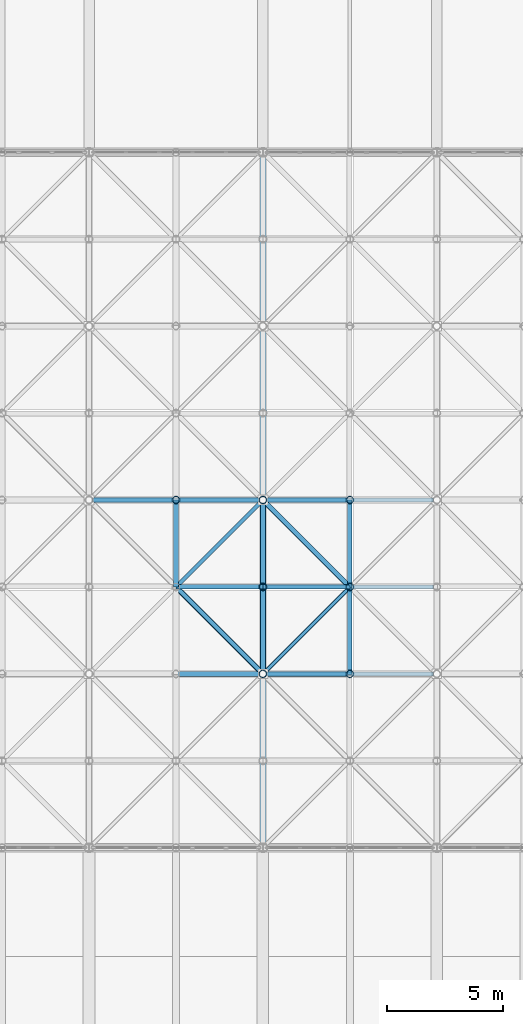
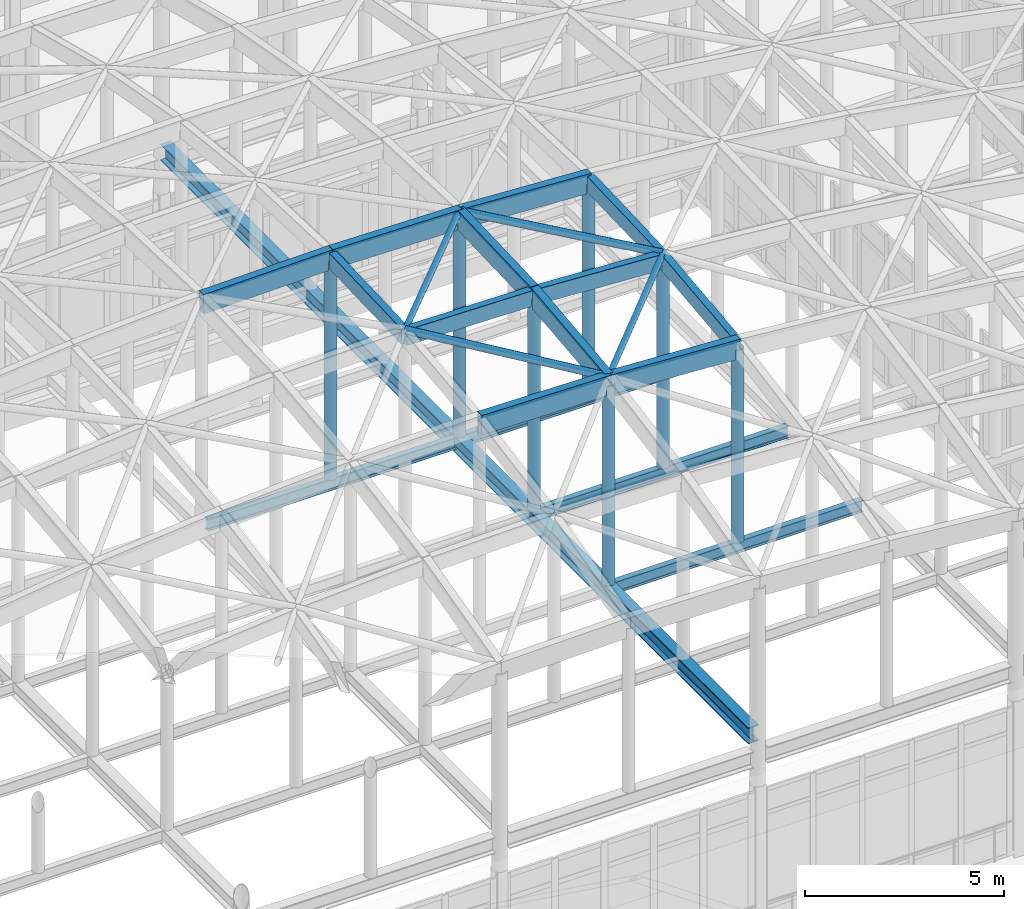
# One storey, part 36 of 131: 23 members, 5 beams.
"""IFC4 building model written with IfcOpenShell, lengths in metres."""

from ifc_helpers import new_model, si_unit, direction, frame, origin, origin_2d, place, context, subcontext, project, spatial, rectangle, hollow_circle, i_section, extrude, material, material_profile, profile_set, type_object, element, save


model = new_model("IFC4")

# Units and contexts
model_context = context("Model", 3, precision=1e-05, world=origin(), true_north=direction((0.0, 1.0)))
body_context = subcontext(model_context, "Body", "Model", "MODEL_VIEW")
ifc_project = project(units=[si_unit("LENGTHUNIT", "METRE"), si_unit("AREAUNIT", "SQUARE_METRE"), si_unit("VOLUMEUNIT", "CUBIC_METRE"), si_unit("PLANEANGLEUNIT", "RADIAN"), si_unit("MASSUNIT", "GRAM", prefix="KILO")], contexts=[model_context])

# Site, building, storey
site_placement = place(None, origin())
site = spatial("IfcSite", under=ifc_project, at=site_placement, CompositionType="ELEMENT")
building_placement = place(site_placement, origin())
building = spatial("IfcBuilding", under=site, at=building_placement, Name="Dalvernix Boulevard General Hospital", CompositionType="ELEMENT")
storey_placement = place(building_placement, frame((0.0, 0.0, 9.300048828125)))
storey = spatial("IfcBuildingStorey", under=building, at=storey_placement, Name="L02", CompositionType="ELEMENT", Elevation=9.300048828125)

# Beams
ifc_material_1 = material(Name="Steel S355", Category="steel")
ifc_material_profile_1 = material_profile(ifc_material_1, i_section(OverallWidth=0.300048828125, OverallDepth=0.5, WebThickness=0.014404296875, FlangeThickness=0.028076171875, FilletRadius=0.027099609375, at=origin_2d()), Name="HEB 500")
ifc_profile_set_1 = profile_set([ifc_material_profile_1], Name="Steel S355")
beam_type_1 = type_object("IfcBeamType", Name="BM-RB-02", PredefinedType="BEAM", material=ifc_profile_set_1)
beam_placement = place(storey_placement, frame((90.0, 31.7099609375, 6.14990234375), z_axis=(0.0, 1.0, 0.0), x_axis=(-1.0, 0.0, 0.0)))
element("IfcBeam", 1, at=beam_placement, inside=storey, type_object=beam_type_1, Name="ROOF TRUSS Gridshell tie beam 8", PredefinedType="BEAM", context=body_context, shape_type="SweptSolid", body=[
    extrude(i_section(OverallWidth=0.300048828125, OverallDepth=0.5, WebThickness=0.014404296875, FlangeThickness=0.028076171875, FilletRadius=0.027099609375, at=origin_2d()), origin(), (0.0, 0.0, 1.0), 29.580078125),
])
ifc_material_profile_2 = material_profile(ifc_material_1, i_section(OverallWidth=0.169921875, OverallDepth=0.360107421875, WebThickness=0.008056640625, FlangeThickness=0.0126953125, FilletRadius=0.01806640625, at=origin_2d()), Name="IPE 360")
ifc_profile_set_2 = profile_set([ifc_material_profile_2], Name="Steel S355")
beam_type_2 = type_object("IfcBeamType", Name="BM-RB-08", PredefinedType="BEAM", material=ifc_profile_set_2)
for number, where, z_axis, x_axis, name in (
    (2, (90.14208984375, 39.0, 6.219970703125), (1.0, 0.0, 0.0), (0.0, 1.0, 0.0), "ROOF TRUSS Gridshell cross tie 8-2"),
    (3, (90.14208984375, 42.75, 6.219970703125), (1.0, 0.0, 0.0), (0.0, 1.0, 0.0), "ROOF TRUSS Gridshell cross tie 8-3"),
    (4, (82.64208984375, 46.5, 6.219970703125), (1.0, 0.0, 0.0), (0.0, 1.0, 0.0), "ROOF TRUSS Gridshell cross tie 6-4"),
    (5, (90.14208984375, 46.5, 6.219970703125), (1.0, 0.0, 0.0), (0.0, 1.0, 0.0), "ROOF TRUSS Gridshell cross tie 8-4"),
):
    element("IfcBeam", number, at=place(storey_placement, frame(where, z_axis=z_axis, x_axis=x_axis)), inside=storey, type_object=beam_type_2, Name=name, PredefinedType="BEAM", context=body_context, shape_type="SweptSolid", body=[
        extrude(i_section(OverallWidth=0.169921875, OverallDepth=0.360107421875, WebThickness=0.008056640625, FlangeThickness=0.0126953125, FilletRadius=0.01806640625, at=origin_2d()), origin(), (0.0, 0.0, 1.0), 7.2158203125),
    ])

# Members
ifc_material_2 = material(Name="Glulam GL28h", Category="wood")
ifc_material_profile_3 = material_profile(ifc_material_2, rectangle(XDim=0.219970703125, YDim=0.60009765625, at=origin_2d()), Name="GL28h 220x600")
ifc_profile_set_3 = profile_set([ifc_material_profile_3], Name="Glulam GL28h")
member_type_1 = type_object("IfcMemberType", Name="MEM-GS-C1", PredefinedType="CHORD", material=ifc_profile_set_3)
member_1_placement = place(storey_placement, frame((86.25, 39.0, 12.599853515625), z_axis=(0.999829111468, 0.0, -0.018486423676), x_axis=(0.0, 1.0, 0.0)))
element("IfcMember", 6, at=member_1_placement, inside=storey, type_object=member_type_1, Name="ROOF TRUSS Gridshell E-W glulam rib 8-3", PredefinedType="CHORD", context=body_context, shape_type="SweptSolid", body=[
    extrude(rectangle(XDim=0.219970703125, YDim=0.60009765625, at=origin_2d()), origin(), (0.0, 0.0, 1.0), 3.750732421875),
])
member_2_placement = place(storey_placement, frame((90.0, 39.0, 12.530517578125), z_axis=(0.998461553046, 0.0, -0.055448418278), x_axis=(0.0, 1.0, 0.0)))
element("IfcMember", 7, at=member_2_placement, inside=storey, type_object=member_type_1, Name="ROOF TRUSS Gridshell E-W glulam rib 9-3", PredefinedType="CHORD", context=body_context, shape_type="SweptSolid", body=[
    extrude(rectangle(XDim=0.219970703125, YDim=0.60009765625, at=origin_2d()), origin(), (0.0, 0.0, 1.0), 3.755859375),
])
for number, where, z_axis, x_axis, name in (
    (8, (82.5, 46.5, 13.08056640625), (0.999829111468, 0.0, 0.018486423676), (0.0, 1.0, 0.0), "ROOF TRUSS Gridshell E-W glulam rib 7-5"),
    (9, (86.25, 46.5, 13.14990234375), (0.999829111468, 0.0, -0.018486423676), (0.0, 1.0, 0.0), "ROOF TRUSS Gridshell E-W glulam rib 8-5"),
):
    element("IfcMember", number, at=place(storey_placement, frame(where, z_axis=z_axis, x_axis=x_axis)), inside=storey, type_object=member_type_1, Name=name, PredefinedType="CHORD", context=body_context, shape_type="SweptSolid", body=[
        extrude(rectangle(XDim=0.219970703125, YDim=0.60009765625, at=origin_2d()), origin(), (0.0, 0.0, 1.0), 3.750732421875),
    ])
member_3_placement = place(storey_placement, frame((90.0, 46.5, 13.08056640625), z_axis=(0.998461553046, 0.0, -0.055448418278), x_axis=(0.0, 1.0, 0.0)))
element("IfcMember", 10, at=member_3_placement, inside=storey, type_object=member_type_1, Name="ROOF TRUSS Gridshell E-W glulam rib 9-5", PredefinedType="CHORD", context=body_context, shape_type="SweptSolid", body=[
    extrude(rectangle(XDim=0.219970703125, YDim=0.60009765625, at=origin_2d()), origin(), (0.0, 0.0, 1.0), 3.755859375),
])
member_4_placement = place(storey_placement, frame((90.0, 39.0, 12.530517578125), z_axis=(0.0, 0.994001542248, 0.109366055104), x_axis=(-1.0, 0.0, 0.0)))
element("IfcMember", 11, at=member_4_placement, inside=storey, type_object=member_type_1, Name="ROOF TRUSS Gridshell N-S glulam rib 9-3", PredefinedType="CHORD", context=body_context, shape_type="SweptSolid", body=[
    extrude(rectangle(XDim=0.219970703125, YDim=0.60009765625, at=origin_2d()), origin(), (0.0, 0.0, 1.0), 3.772705078125),
])
member_5_placement = place(storey_placement, frame((90.0, 42.75, 12.943115234375), z_axis=(0.0, 0.999328931228, 0.036629048716), x_axis=(-1.0, 0.0, 0.0)))
element("IfcMember", 12, at=member_5_placement, inside=storey, type_object=member_type_1, Name="ROOF TRUSS Gridshell N-S glulam rib 9-4", PredefinedType="CHORD", context=body_context, shape_type="SweptSolid", body=[
    extrude(rectangle(XDim=0.219970703125, YDim=0.60009765625, at=origin_2d()), origin(), (0.0, 0.0, 1.0), 3.75244140625),
])
ifc_material_profile_4 = material_profile(ifc_material_2, rectangle(XDim=0.199951171875, YDim=0.47998046875, at=origin_2d()), Name="GL28h 200x480")
ifc_profile_set_4 = profile_set([ifc_material_profile_4], Name="Glulam GL28h")
member_type_2 = type_object("IfcMemberType", Name="MEM-GS-C2", PredefinedType="CHORD", material=ifc_profile_set_4)
member_6_placement = place(storey_placement, frame((86.25, 42.75, 13.012451171875), z_axis=(0.999829111468, 0.0, -0.018486423676), x_axis=(0.0, 1.0, 0.0)))
element("IfcMember", 13, at=member_6_placement, inside=storey, type_object=member_type_2, Name="ROOF TRUSS Gridshell E-W glulam rib 8-4", PredefinedType="CHORD", context=body_context, shape_type="SweptSolid", body=[
    extrude(rectangle(XDim=0.199951171875, YDim=0.47998046875, at=origin_2d()), origin(), (0.0, 0.0, 1.0), 3.750732421875),
])
member_7_placement = place(storey_placement, frame((90.0, 42.75, 12.943115234375), z_axis=(0.998461553046, 0.0, -0.055448418278), x_axis=(0.0, 1.0, 0.0)))
element("IfcMember", 14, at=member_7_placement, inside=storey, type_object=member_type_2, Name="ROOF TRUSS Gridshell E-W glulam rib 9-4", PredefinedType="CHORD", context=body_context, shape_type="SweptSolid", body=[
    extrude(rectangle(XDim=0.199951171875, YDim=0.47998046875, at=origin_2d()), origin(), (0.0, 0.0, 1.0), 3.755859375),
])
member_8_placement = place(storey_placement, frame((86.25, 42.75, 13.012451171875), z_axis=(0.0, 0.999328931228, 0.036629048716), x_axis=(-1.0, 0.0, 0.0)))
element("IfcMember", 15, at=member_8_placement, inside=storey, type_object=member_type_2, Name="ROOF TRUSS Gridshell N-S glulam rib 8-4", PredefinedType="CHORD", context=body_context, shape_type="SweptSolid", body=[
    extrude(rectangle(XDim=0.199951171875, YDim=0.47998046875, at=origin_2d()), origin(), (0.0, 0.0, 1.0), 3.75244140625),
])
member_9_placement = place(storey_placement, frame((93.75, 39.0, 12.322265625), z_axis=(0.0, 0.994001542248, 0.109366055104), x_axis=(-1.0, 0.0, 0.0)))
element("IfcMember", 16, at=member_9_placement, inside=storey, type_object=member_type_2, Name="ROOF TRUSS Gridshell N-S glulam rib 10-3", PredefinedType="CHORD", context=body_context, shape_type="SweptSolid", body=[
    extrude(rectangle(XDim=0.199951171875, YDim=0.47998046875, at=origin_2d()), origin(), (0.0, 0.0, 1.0), 3.772705078125),
])
member_10_placement = place(storey_placement, frame((93.75, 42.75, 12.73486328125), z_axis=(0.0, 0.999328931228, 0.036629048716), x_axis=(-1.0, 0.0, 0.0)))
element("IfcMember", 17, at=member_10_placement, inside=storey, type_object=member_type_2, Name="ROOF TRUSS Gridshell N-S glulam rib 10-4", PredefinedType="CHORD", context=body_context, shape_type="SweptSolid", body=[
    extrude(rectangle(XDim=0.199951171875, YDim=0.47998046875, at=origin_2d()), origin(), (0.0, 0.0, 1.0), 3.75244140625),
])
ifc_material_profile_5 = material_profile(ifc_material_1, hollow_circle(Radius=0.161865234375, WallThickness=0.012451171875, at=origin_2d()), Name="CHS 323.9x12.5")
ifc_profile_set_5 = profile_set([ifc_material_profile_5], Name="Steel S355")
member_type_3 = type_object("IfcMemberType", Name="MEM-GS-C3", PredefinedType="CHORD", material=ifc_profile_set_5)
member_11_placement = place(storey_placement, frame((86.25, 46.5, 6.39990234375), z_axis=(0.0, 0.0, 1.0), x_axis=(1.0, 0.0, 0.0)))
element("IfcMember", 18, at=member_11_placement, inside=storey, type_object=member_type_3, Name="ROOF TRUSS Gridshell arch queen post 7-4", PredefinedType="CHORD", context=body_context, shape_type="SweptSolid", body=[
    extrude(hollow_circle(Radius=0.161865234375, WallThickness=0.012451171875, at=origin_2d()), origin(), (0.0, 0.0, 1.0), 6.75),
])
member_12_placement = place(storey_placement, frame((90.0, 39.0, 6.39990234375), z_axis=(0.0, 0.0, 1.0), x_axis=(1.0, 0.0, 0.0)))
element("IfcMember", 19, at=member_12_placement, inside=storey, type_object=member_type_3, Name="ROOF TRUSS Gridshell arch queen post 8-2", PredefinedType="CHORD", context=body_context, shape_type="SweptSolid", body=[
    extrude(hollow_circle(Radius=0.161865234375, WallThickness=0.012451171875, at=origin_2d()), origin(), (0.0, 0.0, 1.0), 6.130615234375),
])
member_13_placement = place(storey_placement, frame((90.0, 42.75, 6.39990234375), z_axis=(0.0, 0.0, 1.0), x_axis=(1.0, 0.0, 0.0)))
element("IfcMember", 20, at=member_13_placement, inside=storey, type_object=member_type_3, Name="ROOF TRUSS Gridshell arch queen post 8-3", PredefinedType="CHORD", context=body_context, shape_type="SweptSolid", body=[
    extrude(hollow_circle(Radius=0.161865234375, WallThickness=0.012451171875, at=origin_2d()), origin(), (0.0, 0.0, 1.0), 6.543212890625),
])
member_14_placement = place(storey_placement, frame((90.0, 46.5, 6.39990234375), z_axis=(0.0, 0.0, 1.0), x_axis=(1.0, 0.0, 0.0)))
element("IfcMember", 21, at=member_14_placement, inside=storey, type_object=member_type_3, Name="ROOF TRUSS Gridshell arch queen post 8-4", PredefinedType="CHORD", context=body_context, shape_type="SweptSolid", body=[
    extrude(hollow_circle(Radius=0.161865234375, WallThickness=0.012451171875, at=origin_2d()), origin(), (0.0, 0.0, 1.0), 6.6806640625),
])
member_15_placement = place(storey_placement, frame((93.75, 39.0, 6.39990234375), z_axis=(0.0, 0.0, 1.0), x_axis=(1.0, 0.0, 0.0)))
element("IfcMember", 22, at=member_15_placement, inside=storey, type_object=member_type_3, Name="ROOF TRUSS Gridshell arch queen post 9-2", PredefinedType="CHORD", context=body_context, shape_type="SweptSolid", body=[
    extrude(hollow_circle(Radius=0.161865234375, WallThickness=0.012451171875, at=origin_2d()), origin(), (0.0, 0.0, 1.0), 5.92236328125),
])
member_16_placement = place(storey_placement, frame((93.75, 42.75, 6.39990234375), z_axis=(0.0, 0.0, 1.0), x_axis=(1.0, 0.0, 0.0)))
element("IfcMember", 23, at=member_16_placement, inside=storey, type_object=member_type_3, Name="ROOF TRUSS Gridshell arch queen post 9-3", PredefinedType="CHORD", context=body_context, shape_type="SweptSolid", body=[
    extrude(hollow_circle(Radius=0.161865234375, WallThickness=0.012451171875, at=origin_2d()), origin(), (0.0, 0.0, 1.0), 6.3349609375),
])
member_17_placement = place(storey_placement, frame((93.75, 46.5, 6.39990234375), z_axis=(0.0, 0.0, 1.0), x_axis=(1.0, 0.0, 0.0)))
element("IfcMember", 24, at=member_17_placement, inside=storey, type_object=member_type_3, Name="ROOF TRUSS Gridshell arch queen post 9-4", PredefinedType="CHORD", context=body_context, shape_type="SweptSolid", body=[
    extrude(hollow_circle(Radius=0.161865234375, WallThickness=0.012451171875, at=origin_2d()), origin(), (0.0, 0.0, 1.0), 6.472412109375),
])
ifc_material_profile_6 = material_profile(ifc_material_1, hollow_circle(Radius=0.084228515625, WallThickness=0.00634765625, at=origin_2d()), Name="CHS 168.3x6.3")
ifc_profile_set_6 = profile_set([ifc_material_profile_6], Name="Steel S355")
member_type_4 = type_object("IfcMemberType", Name="MEM-GSD-01", PredefinedType="BRACE", material=ifc_profile_set_6)
member_18_placement = place(storey_placement, frame((86.25, 42.75, 13.202392578125), z_axis=(0.707048463907, 0.707048463907, 0.012842872489), x_axis=(-0.707106781187, 0.707106781187, 0.0)))
element("IfcMember", 25, at=member_18_placement, inside=storey, type_object=member_type_4, Name="ROOF TRUSS Gridshell diagrid tube 8-4", PredefinedType="BRACE", context=body_context, shape_type="SweptSolid", body=[
    extrude(hollow_circle(Radius=0.084228515625, WallThickness=0.00634765625, at=origin_2d()), origin(), (0.0, 0.0, 1.0), 5.3037109375),
])
member_19_placement = place(storey_placement, frame((90.0, 39.0, 12.720458984375), z_axis=(0.706582444522, 0.706582444522, 0.038503223051), x_axis=(-0.707106781187, 0.707106781187, 0.0)))
element("IfcMember", 26, at=member_19_placement, inside=storey, type_object=member_type_4, Name="ROOF TRUSS Gridshell diagrid tube 9-3", PredefinedType="BRACE", context=body_context, shape_type="SweptSolid", body=[
    extrude(hollow_circle(Radius=0.084228515625, WallThickness=0.00634765625, at=origin_2d()), origin(), (0.0, 0.0, 1.0), 5.30712890625),
])
ifc_material_profile_7 = material_profile(ifc_material_1, hollow_circle(Radius=0.109619140625, WallThickness=0.008056640625, at=origin_2d()), Name="CHS 219.1x8.0")
ifc_profile_set_7 = profile_set([ifc_material_profile_7], Name="Steel S355")
member_type_5 = type_object("IfcMemberType", Name="MEM-GSD-02", PredefinedType="BRACE", material=ifc_profile_set_7)
member_20_placement = place(storey_placement, frame((90.0, 39.0, 12.720458984375), z_axis=(-0.704205050131, 0.704205050131, 0.090501352146), x_axis=(-0.707106781187, -0.707106781187, 0.0)))
element("IfcMember", 27, at=member_20_placement, inside=storey, type_object=member_type_5, Name="ROOF TRUSS Gridshell diagrid tube 8-3", PredefinedType="BRACE", context=body_context, shape_type="SweptSolid", body=[
    extrude(hollow_circle(Radius=0.109619140625, WallThickness=0.008056640625, at=origin_2d()), origin(), (0.0, 0.0, 1.0), 5.3251953125),
])
member_21_placement = place(storey_placement, frame((93.75, 42.75, 12.9248046875), z_axis=(-0.705609209228, 0.705609209228, 0.065048348976), x_axis=(-0.707106781187, -0.707106781187, 0.0)))
element("IfcMember", 28, at=member_21_placement, inside=storey, type_object=member_type_5, Name="ROOF TRUSS Gridshell diagrid tube 9-4", PredefinedType="BRACE", context=body_context, shape_type="SweptSolid", body=[
    extrude(hollow_circle(Radius=0.109619140625, WallThickness=0.008056640625, at=origin_2d()), origin(), (0.0, 0.0, 1.0), 5.314453125),
])

save(model, "model.ifc")
